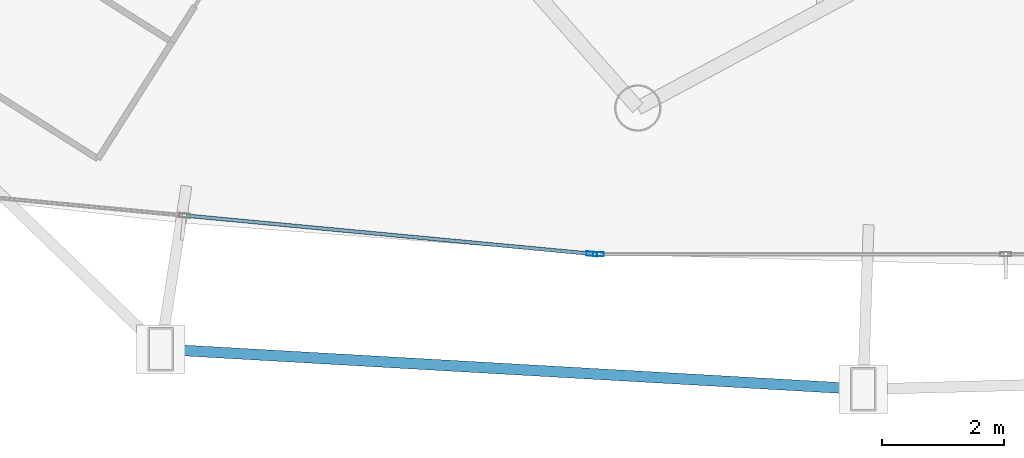
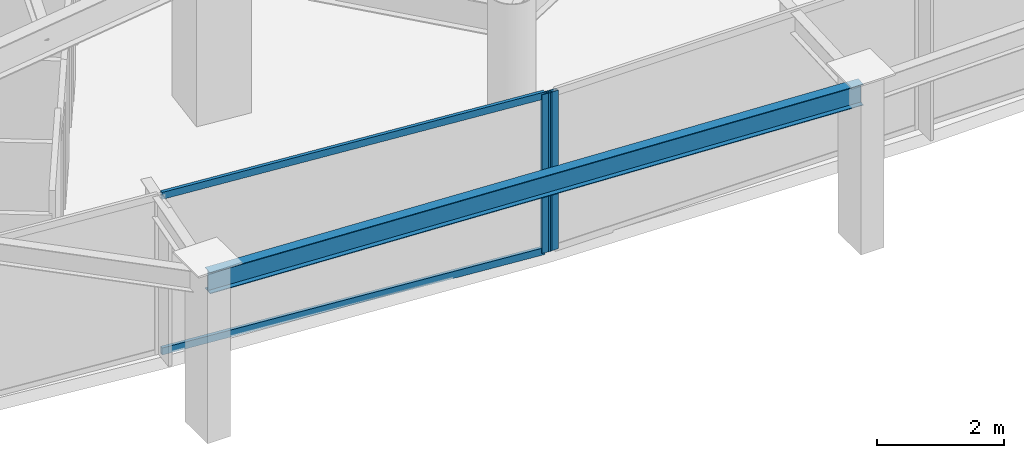
# One storey, part 6 of 35: 4 members, 1 beam, 2 elements without a shape of their own.
"""IFC4 building model written with IfcOpenShell, lengths in metres."""

from ifc_helpers import new_model, si_unit, direction, frame, origin, origin_2d, place, context, subcontext, project, spatial, hollow_rectangle, i_section, extrude, material, layer, layer_set, material_profile, profile_set, type_object, element, aggregate, save


model = new_model("IFC4")

# Units and contexts
model_context = context("Model", 3, precision=1e-05, world=origin(), true_north=direction((0.0, 1.0)))
body_context = subcontext(model_context, "Body", "Model", "MODEL_VIEW")
ifc_project = project(units=[si_unit("LENGTHUNIT", "METRE"), si_unit("AREAUNIT", "SQUARE_METRE"), si_unit("VOLUMEUNIT", "CUBIC_METRE"), si_unit("PLANEANGLEUNIT", "RADIAN"), si_unit("MASSUNIT", "GRAM", prefix="KILO")], contexts=[model_context])

# Site, building, storey
site_placement = place(None, origin())
site = spatial("IfcSite", under=ifc_project, at=site_placement, CompositionType="ELEMENT")
building_placement = place(site_placement, origin())
building = spatial("IfcBuilding", under=site, at=building_placement, Name="Orvanel Arch Residences", CompositionType="ELEMENT")
storey_placement = place(building_placement, frame((0.0, 0.0, 30.199951171875)))
storey = spatial("IfcBuildingStorey", under=building, at=storey_placement, Name="L07", CompositionType="ELEMENT", Elevation=30.199951171875)

# Curtain wall, member
ifc_material_1 = material(Name="Bronze-anodised aluminium AA6063-T6", Category="aluminium")
ifc_layer = layer(ifc_material_1, 0.179931640625)
ifc_layer_set = layer_set([ifc_layer], Name="Bronze-anodised aluminium AA6063-T6")
curtain_wall_type = type_object("IfcCurtainWallType", Name="CW2-LOW-SYS", PredefinedType="NOTDEFINED", material=ifc_layer_set)
curtain_wall_1_placement = place(storey_placement, origin())
curtain_wall_1 = element("IfcCurtainWall", 1, at=curtain_wall_1_placement, inside=storey, type_object=curtain_wall_type, Name="L07 CW2-LOW-SYS Unitised Curtain Wall", PredefinedType="NOTDEFINED")
ifc_material_profile_1 = material_profile(ifc_material_1, hollow_rectangle(XDim=0.070068359375, YDim=0.179931640625, WallThickness=0.00439453125, at=origin_2d()), Name="ALU180x70x4.5")
ifc_profile_set_1 = profile_set([ifc_material_profile_1], Name="Bronze-anodised aluminium AA6063-T6")
member_type_1 = type_object("IfcMemberType", Name="MUL-180x70", PredefinedType="MULLION", material=ifc_profile_set_1)
member_1_placement = place(storey_placement, frame((26.201171875, 1.209228515625, 0.0), z_axis=(0.0, 0.0, 1.0), x_axis=(0.093865833683, 0.995584855885, 0.0)))
member_1 = element("IfcMember", 2, at=member_1_placement, type_object=member_type_1, Name="CW-S2 mullion 3", PredefinedType="MULLION", context=body_context, shape_type="SweptSolid", body=[
    extrude(hollow_rectangle(XDim=0.070068359375, YDim=0.179931640625, WallThickness=0.00439453125, at=origin_2d()), origin(), (0.0, 0.0, 1.0), 3.06005859375),
])

curtain_wall_2_placement = place(storey_placement, origin())
curtain_wall_2 = element("IfcCurtainWall", 3, at=curtain_wall_2_placement, inside=storey, type_object=curtain_wall_type, Name="L07 CW2-LOW-SYS Unitised Curtain Wall", PredefinedType="NOTDEFINED")
member_2_placement = place(storey_placement, frame((26.31103515625, 1.2041015625, 0.0), z_axis=(0.0, 0.0, 1.0), x_axis=(0.0, 1.0, 0.0)))
member_2 = element("IfcMember", 4, at=member_2_placement, type_object=member_type_1, Name="CW-S2 mullion 1", PredefinedType="MULLION", context=body_context, shape_type="SweptSolid", body=[
    extrude(hollow_rectangle(XDim=0.070068359375, YDim=0.179931640625, WallThickness=0.00439453125, at=origin_2d()), origin(), (0.0, 0.0, 1.0), 3.06005859375),
])
aggregate(curtain_wall_2, [member_2])

# Beam
ifc_material_2 = material(Name="Structural steel AS/NZS 3679.1 Grade 300 (300 MPa)", Category="steel")
ifc_material_profile_2 = material_profile(ifc_material_2, i_section(OverallWidth=0.177978515625, OverallDepth=0.406005859375, WebThickness=0.0078125, FlangeThickness=0.0126953125, at=origin_2d()), Name="410UB59.7")
ifc_profile_set_2 = profile_set([ifc_material_profile_2], Name="Structural steel AS/NZS 3679.1 Grade 300 (300 MPa)")
beam_type = type_object("IfcBeamType", Name="OB-410UB-EXT", PredefinedType="SPANDREL", material=ifc_profile_set_2)
beam_placement = place(storey_placement, frame((19.125, -0.35595703125, 2.85693359375), z_axis=(0.99837686655, -0.05695289578, 0.0), x_axis=(0.05695289578, 0.99837686655, 0.0)))
element("IfcBeam", 5, at=beam_placement, inside=storey, type_object=beam_type, Name="L07 Outer Perimeter Floor Ring Beam 05", PredefinedType="SPANDREL", context=body_context, shape_type="SweptSolid", body=[
    extrude(i_section(OverallWidth=0.177978515625, OverallDepth=0.406005859375, WebThickness=0.0078125, FlangeThickness=0.0126953125, at=origin_2d()), origin(), (0.0, 0.0, 1.0), 11.552734375),
])

# Member
ifc_material_profile_3 = material_profile(ifc_material_1, hollow_rectangle(XDim=0.06005859375, YDim=0.135009765625, WallThickness=0.00390625, at=origin_2d()), Name="ALU135x60x4")
ifc_profile_set_3 = profile_set([ifc_material_profile_3], Name="Bronze-anodised aluminium AA6063-T6")
member_type_2 = type_object("IfcMemberType", Name="TRN-135x60", PredefinedType="USERDEFINED", material=ifc_profile_set_3)
member_3_placement = place(storey_placement, frame((19.54638671875, 1.836669921875, 0.030029296875), z_axis=(0.99558643144, -0.093849121105, 0.0), x_axis=(0.093849121105, 0.99558643144, 0.0)))
member_3 = element("IfcMember", 6, at=member_3_placement, type_object=member_type_2, Name="CW-S2 transom 2.1", ObjectType="TRANSOM", PredefinedType="USERDEFINED", context=body_context, shape_type="SweptSolid", body=[
    extrude(hollow_rectangle(XDim=0.06005859375, YDim=0.135009765625, WallThickness=0.00390625, at=origin_2d()), origin(), (0.0, 0.0, 1.0), 6.649169921875),
])

member_4_placement = place(storey_placement, frame((19.54638671875, 1.836669921875, 3.030029296875), z_axis=(0.99558643144, -0.093849121105, 0.0), x_axis=(0.093849121105, 0.99558643144, 0.0)))
member_4 = element("IfcMember", 7, at=member_4_placement, type_object=member_type_2, Name="CW-S2 transom 2.2", ObjectType="TRANSOM", PredefinedType="USERDEFINED", context=body_context, shape_type="SweptSolid", body=[
    extrude(hollow_rectangle(XDim=0.06005859375, YDim=0.135009765625, WallThickness=0.00390625, at=origin_2d()), origin(), (0.0, 0.0, 1.0), 6.649169921875),
])

aggregate(curtain_wall_1, [member_1, member_3, member_4])

save(model, "model.ifc")
